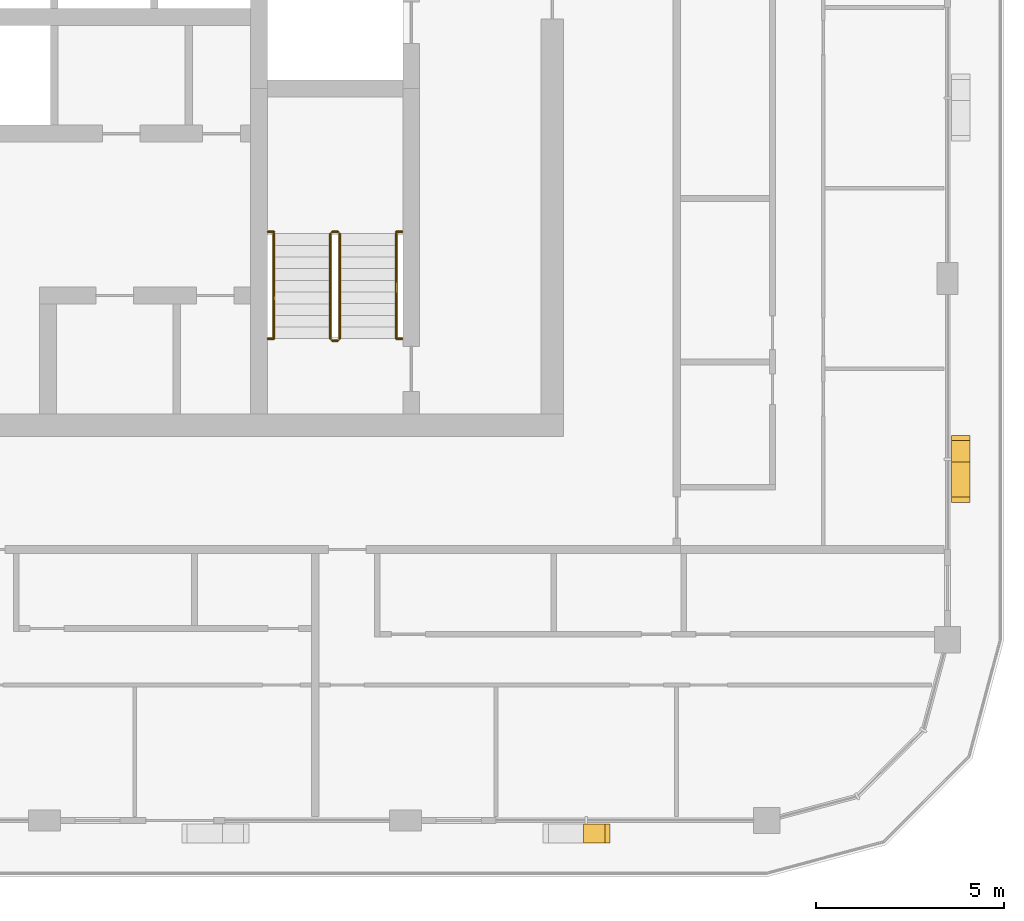
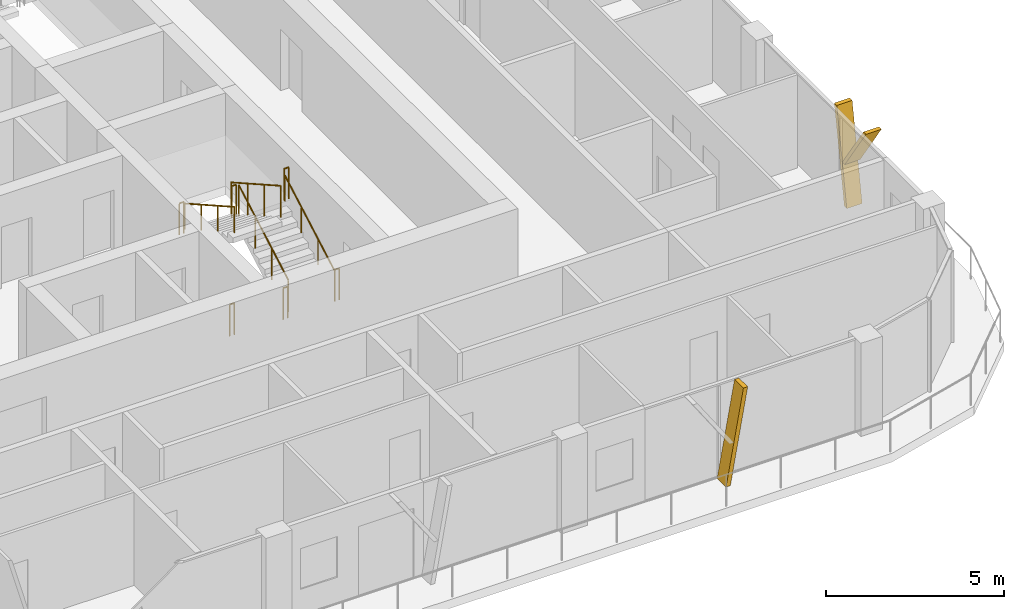
# One storey, part 18 of 21: 10 railings, 3 shading devices.
"""IFC4 building model written with IfcOpenShell, lengths in metres."""

from ifc_helpers import new_model, si_unit, direction, frame, origin, origin_2d, place, context, subcontext, project, spatial, polyline, circle, outline, extrude, material, type_object, element, save


model = new_model("IFC4")

# Units and contexts
model_context = context("Model", 3, precision=1e-05, world=origin(), true_north=direction((0.0, 1.0)))
body_context = subcontext(model_context, "Body", "Model", "MODEL_VIEW")
ifc_project = project(units=[si_unit("LENGTHUNIT", "METRE"), si_unit("AREAUNIT", "SQUARE_METRE"), si_unit("VOLUMEUNIT", "CUBIC_METRE"), si_unit("PLANEANGLEUNIT", "RADIAN"), si_unit("MASSUNIT", "GRAM", prefix="KILO")], contexts=[model_context])

# Site, building, storey
site_placement = place(None, origin())
site = spatial("IfcSite", under=ifc_project, at=site_placement, CompositionType="ELEMENT")
building_placement = place(site_placement, origin())
building = spatial("IfcBuilding", under=site, at=building_placement, Name="Madar Terraces", CompositionType="ELEMENT")
storey_placement = place(building_placement, frame((0.0, 0.0, 238.699951171875)))
storey = spatial("IfcBuildingStorey", under=building, at=storey_placement, Name="L62", CompositionType="ELEMENT", Elevation=238.699951171875)

# Shading devices
ifc_material_1 = material(Name="Aluminium, black anodised", Category="aluminium")
shading_device_type = type_object("IfcShadingDeviceType", Name="Facade fin blade 140 x 500", PredefinedType="USERDEFINED", material=ifc_material_1)
shading_device_1_placement = place(storey_placement, frame((47.929931640625, 4.449951171875, 0.0), z_axis=(0.0, 0.0, 1.0), x_axis=(1.0, 0.0, 0.0)))
element("IfcShadingDevice", 1, at=shading_device_1_placement, inside=storey, type_object=shading_device_type, Name="FIN L62 S5", ObjectType="FIN", PredefinedType="USERDEFINED", context=body_context, shape_type="SweptSolid", body=[
    extrude(outline(polyline([(0.0, 0.0), (0.14013671875, 0.0), (0.704345703125, 3.199951171875), (0.564208984375, 3.199951171875), (0.0, 0.0)])), frame((0.0, 0.25, 0.0), z_axis=(0.0, -1.0, 0.0), x_axis=(1.0, 0.0, 0.0)), (0.0, 0.0, 1.0), 0.5),
])
shading_device_2_placement = place(storey_placement, frame((57.949951171875, 14.330078125, 0.0), z_axis=(0.0, 0.0, 1.0), x_axis=(0.0, 1.0, 0.0)))
element("IfcShadingDevice", 2, at=shading_device_2_placement, inside=storey, type_object=shading_device_type, Name="FIN L62 E1", ObjectType="FIN", PredefinedType="USERDEFINED", context=body_context, shape_type="SweptSolid", body=[
    extrude(outline(polyline([(0.0, 0.0), (0.139892578125, 0.0), (0.704345703125, 3.199951171875), (0.564208984375, 3.199951171875), (0.0, 0.0)])), frame((0.0, 0.25, 0.0), z_axis=(0.0, -1.0, 0.0), x_axis=(1.0, 0.0, 0.0)), (0.0, 0.0, 1.0), 0.5),
])
shading_device_3_placement = place(storey_placement, frame((57.949951171875, 14.44384765625, 1.43994140625), z_axis=(0.0, 0.0, 1.0), x_axis=(0.0, 1.0, 0.0)))
element("IfcShadingDevice", 3, at=shading_device_3_placement, inside=storey, type_object=shading_device_type, Name="FIN L62 E1 branch", ObjectType="FIN", PredefinedType="USERDEFINED", context=body_context, shape_type="SweptSolid", body=[
    extrude(outline(polyline([(0.0, 0.0), (0.14013671875, 0.0), (-1.049560546875, 1.760009765625), (-1.189697265625, 1.760009765625), (0.0, 0.0)])), frame((0.0, 0.25, 0.0), z_axis=(0.0, -1.0, 0.0), x_axis=(1.0, 0.0, 0.0)), (0.0, 0.0, 1.0), 0.5),
])

# Railings
ifc_material_2 = material(Name="Stainless steel railing", Category="steel")
railing_type_1 = type_object("IfcRailingType", Name="Stair guard 1100", PredefinedType="GUARDRAIL", material=ifc_material_2)
railing_1_placement = place(storey_placement, frame((41.449951171875, 17.60009765625, 0.175048828125)))
element("IfcRailing", 4, at=railing_1_placement, inside=storey, type_object=railing_type_1, Name="L62 ST3 stair guard 1", PredefinedType="GUARDRAIL", context=body_context, shape_type="SweptSolid", body=[
    extrude(circle(Radius=0.02392578125, at=origin_2d()), frame((0.0, 0.0, 1.076171875), z_axis=(0.0, 0.870815363784, 0.491610213684), x_axis=(-1.0, 0.0, 0.0)), (0.0, 0.0, 1.0), 3.20361328125),
    extrude(circle(Radius=0.02099609375, at=origin_2d()), origin(), (0.0, 0.0, 1.0), 1.052001953125),
    extrude(circle(Radius=0.02099609375, at=origin_2d()), frame((0.0, 0.929931640625, 0.52490234375)), (0.0, 0.0, 1.0), 1.052001953125),
    extrude(circle(Radius=0.02099609375, at=origin_2d()), frame((0.0, 1.85986328125, 1.050048828125)), (0.0, 0.0, 1.0), 1.052001953125),
    extrude(circle(Radius=0.02099609375, at=origin_2d()), frame((0.0, 2.789794921875, 1.574951171875)), (0.0, 0.0, 1.0), 1.052001953125),
])
railing_2_placement = place(storey_placement, frame((41.39990234375, 20.43994140625, 1.75)))
element("IfcRailing", 5, at=railing_2_placement, inside=storey, type_object=railing_type_1, Name="L62 ST3 stair guard 2", PredefinedType="GUARDRAIL", context=body_context, shape_type="SweptSolid", body=[
    extrude(circle(Radius=0.02392578125, at=origin_2d()), frame((0.0, 0.0, 1.076171875), z_axis=(-1.0, 0.0, 0.0), x_axis=(0.0, -1.0, 0.0)), (0.0, 0.0, 1.0), 0.14990234375),
    extrude(circle(Radius=0.02099609375, at=origin_2d()), origin(), (0.0, 0.0, 1.0), 1.052001953125),
    extrude(circle(Radius=0.02099609375, at=origin_2d()), frame((-0.14990234375, 0.0, 0.0)), (0.0, 0.0, 1.0), 1.052001953125),
])
railing_3_placement = place(storey_placement, frame((41.199951171875, 20.389892578125, 1.925048828125)))
element("IfcRailing", 6, at=railing_3_placement, inside=storey, type_object=railing_type_1, Name="L62 ST3 stair guard 3", PredefinedType="GUARDRAIL", context=body_context, shape_type="SweptSolid", body=[
    extrude(circle(Radius=0.02392578125, at=origin_2d()), frame((0.0, 0.0, 1.076171875), z_axis=(0.0, -0.870815363784, 0.491610213684), x_axis=(1.0, 0.0, 0.0)), (0.0, 0.0, 1.0), 3.20361328125),
    extrude(circle(Radius=0.02099609375, at=origin_2d()), origin(), (0.0, 0.0, 1.0), 1.052001953125),
    extrude(circle(Radius=0.02099609375, at=origin_2d()), frame((0.0, -0.929931640625, 0.52490234375)), (0.0, 0.0, 1.0), 1.052001953125),
    extrude(circle(Radius=0.02099609375, at=origin_2d()), frame((0.0, -1.85986328125, 1.050048828125)), (0.0, 0.0, 1.0), 1.052001953125),
    extrude(circle(Radius=0.02099609375, at=origin_2d()), frame((0.0, -2.789794921875, 1.574951171875)), (0.0, 0.0, 1.0), 1.052001953125),
])
railing_4_placement = place(storey_placement, frame((41.39990234375, 17.550048828125, 0.0)))
element("IfcRailing", 7, at=railing_4_placement, inside=storey, type_object=railing_type_1, Name="L62 ST3 stair guard 4", PredefinedType="GUARDRAIL", context=body_context, shape_type="SweptSolid", body=[
    extrude(circle(Radius=0.02392578125, at=origin_2d()), frame((0.0, 0.0, 1.076171875), z_axis=(-1.0, 0.0, 0.0), x_axis=(0.0, -1.0, 0.0)), (0.0, 0.0, 1.0), 0.14990234375),
    extrude(circle(Radius=0.02099609375, at=origin_2d()), origin(), (0.0, 0.0, 1.0), 1.052001953125),
    extrude(circle(Radius=0.02099609375, at=origin_2d()), frame((-0.14990234375, 0.0, 0.0)), (0.0, 0.0, 1.0), 1.052001953125),
])
for number, where, name in (
    (8, (39.544921875, 20.43994140625, 1.75), "L62 stair guard seat 1"),
    (9, (42.949951171875, 20.43994140625, 1.75), "L62 stair guard seat 2"),
    (10, (39.544921875, 17.60009765625, 0.0), "L62 stair guard floor 1"),
    (11, (42.949951171875, 17.60009765625, 0.0), "L62 stair guard floor 2"),
):
    element("IfcRailing", number, at=place(storey_placement, frame(where)), inside=storey, type_object=railing_type_1, Name=name, PredefinedType="GUARDRAIL", context=body_context, shape_type="SweptSolid", body=[
        extrude(circle(Radius=0.02392578125, at=origin_2d()), frame((0.0, 0.0, 1.076171875), z_axis=(1.0, 0.0, 0.0), x_axis=(0.0, 1.0, 0.0)), (0.0, 0.0, 1.0), 0.155029296875),
        extrude(circle(Radius=0.02099609375, at=origin_2d()), origin(), (0.0, 0.0, 1.0), 1.052001953125),
        extrude(circle(Radius=0.02099609375, at=origin_2d()), frame((0.155029296875, 0.0, 0.0)), (0.0, 0.0, 1.0), 1.052001953125),
    ])
ifc_material_3 = material(Name="Stainless steel railing", Category="steel")
railing_type_2 = type_object("IfcRailingType", Name="Stair handrail 900", PredefinedType="HANDRAIL", material=ifc_material_3)
railing_5_placement = place(storey_placement, frame((42.949951171875, 17.60009765625, 0.175048828125)))
element("IfcRailing", 12, at=railing_5_placement, inside=storey, type_object=railing_type_2, Name="L62 ST3 stair handrail 1", PredefinedType="HANDRAIL", context=body_context, shape_type="SweptSolid", body=[
    extrude(circle(Radius=0.02392578125, at=origin_2d()), frame((0.0, 0.0, 0.8759765625), z_axis=(0.0, 0.870815363784, 0.491610213684), x_axis=(-1.0, 0.0, 0.0)), (0.0, 0.0, 1.0), 3.20361328125),
    extrude(circle(Radius=0.02099609375, at=origin_2d()), origin(), (0.0, 0.0, 1.0), 0.851806640625),
    extrude(circle(Radius=0.02099609375, at=origin_2d()), frame((0.0, 0.929931640625, 0.52490234375)), (0.0, 0.0, 1.0), 0.851806640625),
    extrude(circle(Radius=0.02099609375, at=origin_2d()), frame((0.0, 1.85986328125, 1.050048828125)), (0.0, 0.0, 1.0), 0.851806640625),
    extrude(circle(Radius=0.02099609375, at=origin_2d()), frame((0.0, 2.789794921875, 1.574951171875)), (0.0, 0.0, 1.0), 0.851806640625),
])
railing_6_placement = place(storey_placement, frame((39.699951171875, 20.389892578125, 1.925048828125)))
element("IfcRailing", 13, at=railing_6_placement, inside=storey, type_object=railing_type_2, Name="L62 ST3 stair handrail 2", PredefinedType="HANDRAIL", context=body_context, shape_type="SweptSolid", body=[
    extrude(circle(Radius=0.02392578125, at=origin_2d()), frame((0.0, 0.0, 0.8759765625), z_axis=(0.0, -0.870815363784, 0.491610213684), x_axis=(1.0, 0.0, 0.0)), (0.0, 0.0, 1.0), 3.20361328125),
    extrude(circle(Radius=0.02099609375, at=origin_2d()), origin(), (0.0, 0.0, 1.0), 0.851806640625),
    extrude(circle(Radius=0.02099609375, at=origin_2d()), frame((0.0, -0.929931640625, 0.52490234375)), (0.0, 0.0, 1.0), 0.851806640625),
    extrude(circle(Radius=0.02099609375, at=origin_2d()), frame((0.0, -1.85986328125, 1.050048828125)), (0.0, 0.0, 1.0), 0.851806640625),
    extrude(circle(Radius=0.02099609375, at=origin_2d()), frame((0.0, -2.789794921875, 1.574951171875)), (0.0, 0.0, 1.0), 0.851806640625),
])

save(model, "model.ifc")
